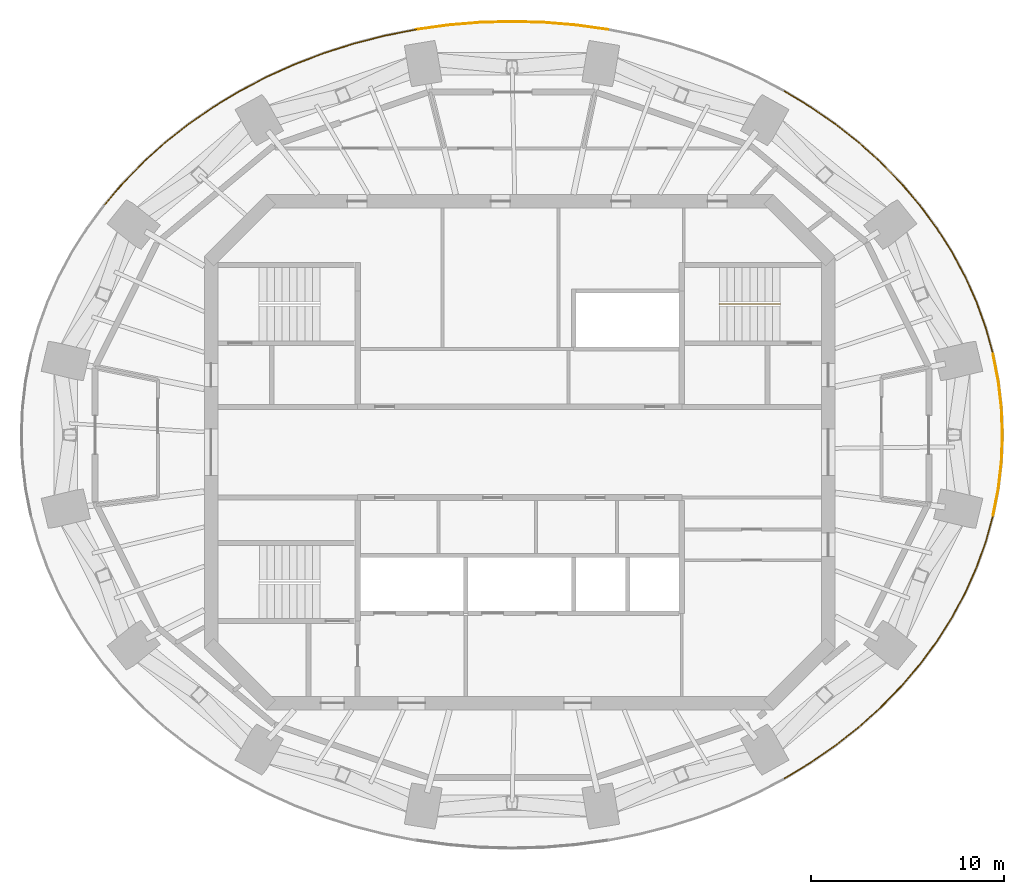
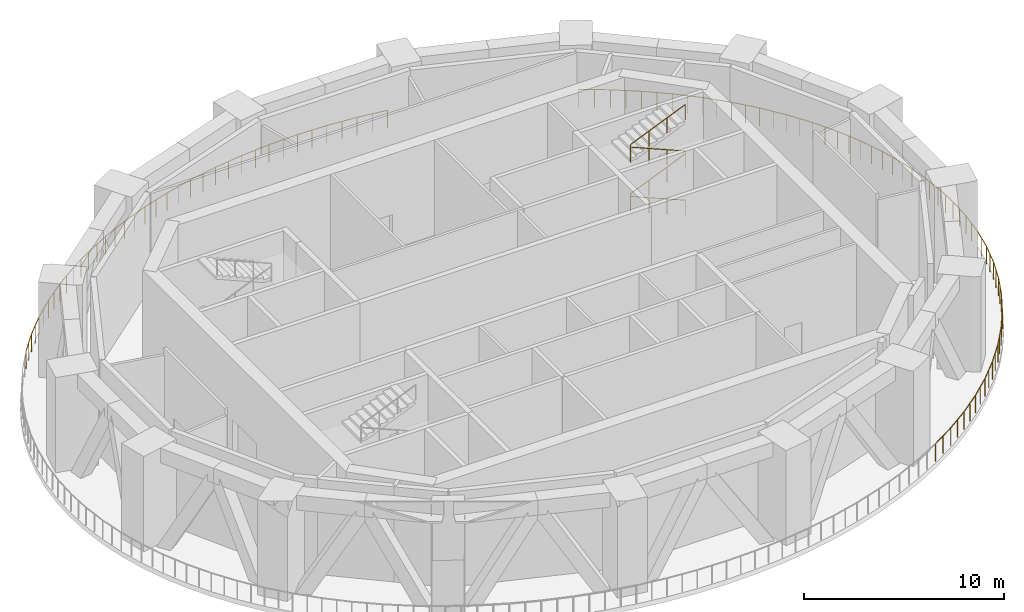
# One storey, part 8 of 9: 9 railings.
"""IFC4 building model written with IfcOpenShell, lengths in metres."""

from ifc_helpers import new_model, si_unit, direction, frame, origin, origin_2d, place, context, subcontext, project, spatial, circle, extrude, material, type_object, element, save


model = new_model("IFC4")

# Units and contexts
model_context = context("Model", 3, precision=1e-05, world=origin(), true_north=direction((0.0, 1.0)))
body_context = subcontext(model_context, "Body", "Model", "MODEL_VIEW")
ifc_project = project(units=[si_unit("LENGTHUNIT", "METRE"), si_unit("AREAUNIT", "SQUARE_METRE"), si_unit("VOLUMEUNIT", "CUBIC_METRE"), si_unit("PLANEANGLEUNIT", "RADIAN"), si_unit("MASSUNIT", "GRAM", prefix="KILO")], contexts=[model_context])

# Site, building, storey
site_placement = place(None, origin())
site = spatial("IfcSite", under=ifc_project, at=site_placement, CompositionType="ELEMENT")
building_placement = place(site_placement, origin())
building = spatial("IfcBuilding", under=site, at=building_placement, Name="Marenthal Gate Tower", CompositionType="ELEMENT")
storey_placement = place(building_placement, frame((0.0, 0.0, 407.550048828125)))
storey = spatial("IfcBuildingStorey", under=building, at=storey_placement, Name="L92", CompositionType="ELEMENT", Elevation=407.550048828125)

# Railings
ifc_material_1 = material(Name="Stainless steel", Category="steel")
railing_type_1 = type_object("IfcRailingType", Name="Balcony guard 1100", PredefinedType="GUARDRAIL", material=ifc_material_1)
railing_1_placement = place(storey_placement, frame((24.5322265625, 5.075927734375, 0.0)))
element("IfcRailing", 1, at=railing_1_placement, inside=storey, type_object=railing_type_1, Name="Refuge band guard L92 bay 1", PredefinedType="GUARDRAIL", context=body_context, shape_type="SweptSolid", body=[
    extrude(circle(Radius=0.02392578125, at=origin_2d()), frame((0.0, 0.0, 1.076171875), z_axis=(-0.266603096149, 0.963806406455, 0.0), x_axis=(-0.963806406455, -0.266603096149, 0.0)), (0.0, 0.0, 1.0), 1.415771484375),
    extrude(circle(Radius=0.02392578125, at=origin_2d()), frame((-0.37744140625, 1.364501953125, 1.076171875), z_axis=(-0.338452450155, 0.940983495596, 0.0), x_axis=(-0.940983495596, -0.338452450155, 0.0)), (0.0, 0.0, 1.0), 1.424560546875),
    extrude(circle(Radius=0.02392578125, at=origin_2d()), frame((-0.859619140625, 2.705078125, 1.076171875), z_axis=(-0.407620468194, 0.913151440841, 0.0), x_axis=(-0.913151440841, -0.407620468194, 0.0)), (0.0, 0.0, 1.0), 1.436279296875),
    extrude(circle(Radius=0.02392578125, at=origin_2d()), frame((-1.445068359375, 4.0166015625, 1.076171875), z_axis=(-0.473436577501, 0.880827910028, 0.0), x_axis=(-0.880827910028, -0.473436577501, 0.0)), (0.0, 0.0, 1.0), 1.448974609375),
    extrude(circle(Radius=0.02392578125, at=origin_2d()), frame((-2.131103515625, 5.29296875, 1.076171875), z_axis=(-0.535417219292, 0.84458771083, 0.0), x_axis=(-0.84458771083, -0.535417219292, 0.0)), (0.0, 0.0, 1.0), 1.463134765625),
    extrude(circle(Radius=0.02392578125, at=origin_2d()), frame((-2.91455078125, 6.52880859375, 1.076171875), z_axis=(-0.59353679981, 0.80480685091, 0.0), x_axis=(-0.80480685091, -0.59353679981, 0.0)), (0.0, 0.0, 1.0), 1.479248046875),
    extrude(circle(Radius=0.02099609375, at=origin_2d()), origin(), (0.0, 0.0, 1.0), 1.052001953125),
    extrude(circle(Radius=0.02099609375, at=origin_2d()), frame((-0.188720703125, 0.68212890625, 0.0)), (0.0, 0.0, 1.0), 1.052001953125),
    extrude(circle(Radius=0.02099609375, at=origin_2d()), frame((-0.37744140625, 1.364501953125, 0.0)), (0.0, 0.0, 1.0), 1.052001953125),
    extrude(circle(Radius=0.02099609375, at=origin_2d()), frame((-0.61865234375, 2.03466796875, 0.0)), (0.0, 0.0, 1.0), 1.052001953125),
    extrude(circle(Radius=0.02099609375, at=origin_2d()), frame((-0.859619140625, 2.705078125, 0.0)), (0.0, 0.0, 1.0), 1.052001953125),
    extrude(circle(Radius=0.02099609375, at=origin_2d()), frame((-1.15234375, 3.36083984375, 0.0)), (0.0, 0.0, 1.0), 1.052001953125),
    extrude(circle(Radius=0.02099609375, at=origin_2d()), frame((-1.445068359375, 4.0166015625, 0.0)), (0.0, 0.0, 1.0), 1.052001953125),
    extrude(circle(Radius=0.02099609375, at=origin_2d()), frame((-1.7880859375, 4.65478515625, 0.0)), (0.0, 0.0, 1.0), 1.052001953125),
    extrude(circle(Radius=0.02099609375, at=origin_2d()), frame((-2.131103515625, 5.29296875, 0.0)), (0.0, 0.0, 1.0), 1.052001953125),
    extrude(circle(Radius=0.02099609375, at=origin_2d()), frame((-2.52294921875, 5.910888671875, 0.0)), (0.0, 0.0, 1.0), 1.052001953125),
    extrude(circle(Radius=0.02099609375, at=origin_2d()), frame((-2.91455078125, 6.52880859375, 0.0)), (0.0, 0.0, 1.0), 1.052001953125),
    extrude(circle(Radius=0.02099609375, at=origin_2d()), frame((-3.353515625, 7.1240234375, 0.0)), (0.0, 0.0, 1.0), 1.052001953125),
    extrude(circle(Radius=0.02099609375, at=origin_2d()), frame((-3.79248046875, 7.71923828125, 0.0)), (0.0, 0.0, 1.0), 1.052001953125),
])
railing_2_placement = place(storey_placement, frame((20.73974609375, 12.795166015625, 0.0)))
element("IfcRailing", 2, at=railing_2_placement, inside=storey, type_object=railing_type_1, Name="Refuge band guard L92 bay 2", PredefinedType="GUARDRAIL", context=body_context, shape_type="SweptSolid", body=[
    extrude(circle(Radius=0.02392578125, at=origin_2d()), frame((0.0, 0.0, 1.076171875), z_axis=(-0.647653159131, 0.761935289554, 0.0), x_axis=(-0.761935289554, -0.647653159131, 0.0)), (0.0, 0.0, 1.0), 1.495361328125),
    extrude(circle(Radius=0.02392578125, at=origin_2d()), frame((-0.968505859375, 1.139404296875, 1.076171875), z_axis=(-0.697435646813, 0.716647415787, 0.0), x_axis=(-0.716647415787, -0.697435646813, 0.0)), (0.0, 0.0, 1.0), 1.51220703125),
    extrude(circle(Radius=0.02392578125, at=origin_2d()), frame((-2.023193359375, 2.22314453125, 1.076171875), z_axis=(-0.743238593694, 0.669026451528, 0.0), x_axis=(-0.669026451528, -0.743238593694, 0.0)), (0.0, 0.0, 1.0), 1.52978515625),
    extrude(circle(Radius=0.02392578125, at=origin_2d()), frame((-3.16015625, 3.24658203125, 1.076171875), z_axis=(-0.784826195145, 0.619715937679, 0.0), x_axis=(-0.619715937679, -0.784826195145, 0.0)), (0.0, 0.0, 1.0), 1.546630859375),
    extrude(circle(Radius=0.02392578125, at=origin_2d()), frame((-4.3740234375, 4.205078125, 1.076171875), z_axis=(-0.822366400491, 0.568958261513, 0.0), x_axis=(-0.568958261513, -0.822366400491, 0.0)), (0.0, 0.0, 1.0), 1.563720703125),
    extrude(circle(Radius=0.02392578125, at=origin_2d()), frame((-5.659912109375, 5.0947265625, 1.076171875), z_axis=(-0.855906991118, 0.517129792756, 0.0), x_axis=(-0.517129792756, -0.855906991118, 0.0)), (0.0, 0.0, 1.0), 1.57958984375),
    extrude(circle(Radius=0.02099609375, at=origin_2d()), origin(), (0.0, 0.0, 1.0), 1.052001953125),
    extrude(circle(Radius=0.02099609375, at=origin_2d()), frame((-0.484375, 0.56982421875, 0.0)), (0.0, 0.0, 1.0), 1.052001953125),
    extrude(circle(Radius=0.02099609375, at=origin_2d()), frame((-0.968505859375, 1.139404296875, 0.0)), (0.0, 0.0, 1.0), 1.052001953125),
    extrude(circle(Radius=0.02099609375, at=origin_2d()), frame((-1.495849609375, 1.68115234375, 0.0)), (0.0, 0.0, 1.0), 1.052001953125),
    extrude(circle(Radius=0.02099609375, at=origin_2d()), frame((-2.023193359375, 2.22314453125, 0.0)), (0.0, 0.0, 1.0), 1.052001953125),
    extrude(circle(Radius=0.02099609375, at=origin_2d()), frame((-2.591796875, 2.73486328125, 0.0)), (0.0, 0.0, 1.0), 1.052001953125),
    extrude(circle(Radius=0.02099609375, at=origin_2d()), frame((-3.16015625, 3.24658203125, 0.0)), (0.0, 0.0, 1.0), 1.052001953125),
    extrude(circle(Radius=0.02099609375, at=origin_2d()), frame((-3.76708984375, 3.725830078125, 0.0)), (0.0, 0.0, 1.0), 1.052001953125),
    extrude(circle(Radius=0.02099609375, at=origin_2d()), frame((-4.3740234375, 4.205078125, 0.0)), (0.0, 0.0, 1.0), 1.052001953125),
    extrude(circle(Radius=0.02099609375, at=origin_2d()), frame((-5.01708984375, 4.64990234375, 0.0)), (0.0, 0.0, 1.0), 1.052001953125),
    extrude(circle(Radius=0.02099609375, at=origin_2d()), frame((-5.659912109375, 5.0947265625, 0.0)), (0.0, 0.0, 1.0), 1.052001953125),
    extrude(circle(Radius=0.02099609375, at=origin_2d()), frame((-6.3359375, 5.503173828125, 0.0)), (0.0, 0.0, 1.0), 1.052001953125),
    extrude(circle(Radius=0.02099609375, at=origin_2d()), frame((-7.011962890625, 5.91162109375, 0.0)), (0.0, 0.0, 1.0), 1.052001953125),
])
railing_3_placement = place(storey_placement, frame((4.5615234375, 21.907958984375, 0.0)))
element("IfcRailing", 3, at=railing_3_placement, inside=storey, type_object=railing_type_1, Name="Refuge band guard L92 bay 4", PredefinedType="GUARDRAIL", context=body_context, shape_type="SweptSolid", body=[
    extrude(circle(Radius=0.02392578125, at=origin_2d()), frame((0.0, 0.0, 1.076171875), z_axis=(-0.990452652988, 0.137853335791, 0.0), x_axis=(-0.137853335791, -0.990452652988, 0.0)), (0.0, 0.0, 1.0), 1.65771484375),
    extrude(circle(Radius=0.02392578125, at=origin_2d()), frame((-1.641845703125, 0.228515625, 1.076171875), z_axis=(-0.996561948792, 0.082850963903, 0.0), x_axis=(-0.082850963903, -0.996561948792, 0.0)), (0.0, 0.0, 1.0), 1.661865234375),
    extrude(circle(Radius=0.02392578125, at=origin_2d()), frame((-3.298095703125, 0.3662109375, 1.076171875), z_axis=(-0.999619494453, 0.027583805219, 0.0), x_axis=(-0.027583805219, -0.999619494453, 0.0)), (0.0, 0.0, 1.0), 1.6640625),
    extrude(circle(Radius=0.02392578125, at=origin_2d()), frame((-4.96142578125, 0.412109375, 1.076171875), z_axis=(-0.999619606064, -0.027579760191, 0.0), x_axis=(0.027579760191, -0.999619606064, 0.0)), (0.0, 0.0, 1.0), 1.664306640625),
    extrude(circle(Radius=0.02392578125, at=origin_2d()), frame((-6.625, 0.3662109375, 1.076171875), z_axis=(-0.996560940215, -0.082863094542, 0.0), x_axis=(0.082863094542, -0.996560940215, 0.0)), (0.0, 0.0, 1.0), 1.66162109375),
    extrude(circle(Radius=0.02392578125, at=origin_2d()), frame((-8.281005859375, 0.228515625, 1.076171875), z_axis=(-0.990455451202, -0.137833229605, 0.0), x_axis=(0.137833229605, -0.990455451202, 0.0)), (0.0, 0.0, 1.0), 1.657958984375),
    extrude(circle(Radius=0.02099609375, at=origin_2d()), origin(), (0.0, 0.0, 1.0), 1.052001953125),
    extrude(circle(Radius=0.02099609375, at=origin_2d()), frame((-0.82080078125, 0.1142578125, 0.0)), (0.0, 0.0, 1.0), 1.052001953125),
    extrude(circle(Radius=0.02099609375, at=origin_2d()), frame((-1.641845703125, 0.228515625, 0.0)), (0.0, 0.0, 1.0), 1.052001953125),
    extrude(circle(Radius=0.02099609375, at=origin_2d()), frame((-2.469970703125, 0.29736328125, 0.0)), (0.0, 0.0, 1.0), 1.052001953125),
    extrude(circle(Radius=0.02099609375, at=origin_2d()), frame((-3.298095703125, 0.3662109375, 0.0)), (0.0, 0.0, 1.0), 1.052001953125),
    extrude(circle(Radius=0.02099609375, at=origin_2d()), frame((-4.1298828125, 0.38916015625, 0.0)), (0.0, 0.0, 1.0), 1.052001953125),
    extrude(circle(Radius=0.02099609375, at=origin_2d()), frame((-4.96142578125, 0.412109375, 0.0)), (0.0, 0.0, 1.0), 1.052001953125),
    extrude(circle(Radius=0.02099609375, at=origin_2d()), frame((-5.793212890625, 0.38916015625, 0.0)), (0.0, 0.0, 1.0), 1.052001953125),
    extrude(circle(Radius=0.02099609375, at=origin_2d()), frame((-6.625, 0.3662109375, 0.0)), (0.0, 0.0, 1.0), 1.052001953125),
    extrude(circle(Radius=0.02099609375, at=origin_2d()), frame((-7.453125, 0.29736328125, 0.0)), (0.0, 0.0, 1.0), 1.052001953125),
    extrude(circle(Radius=0.02099609375, at=origin_2d()), frame((-8.281005859375, 0.228515625, 0.0)), (0.0, 0.0, 1.0), 1.052001953125),
    extrude(circle(Radius=0.02099609375, at=origin_2d()), frame((-9.10205078125, 0.1142578125, 0.0)), (0.0, 0.0, 1.0), 1.052001953125),
    extrude(circle(Radius=0.02099609375, at=origin_2d()), frame((-9.923095703125, 0.0, 0.0)), (0.0, 0.0, 1.0), 1.052001953125),
])
railing_4_placement = place(storey_placement, frame((-5.361572265625, 21.907958984375, 0.0)))
element("IfcRailing", 4, at=railing_4_placement, inside=storey, type_object=railing_type_1, Name="Refuge band guard L92 bay 5", PredefinedType="GUARDRAIL", context=body_context, shape_type="SweptSolid", body=[
    extrude(circle(Radius=0.02392578125, at=origin_2d()), frame((0.0, 0.0, 1.076171875), z_axis=(-0.981217855434, -0.192902877575, 0.0), x_axis=(0.192902877575, -0.981217855434, 0.0)), (0.0, 0.0, 1.0), 1.651611328125),
    extrude(circle(Radius=0.02392578125, at=origin_2d()), frame((-1.62060546875, -0.318603515625, 1.076171875), z_axis=(-0.968826750365, -0.247739233422, 0.0), x_axis=(0.247739233422, -0.968826750365, 0.0)), (0.0, 0.0, 1.0), 1.643798828125),
    extrude(circle(Radius=0.02392578125, at=origin_2d()), frame((-3.213134765625, -0.725830078125, 1.076171875), z_axis=(-0.95317076895, -0.302432612691, 0.0), x_axis=(0.302432612691, -0.95317076895, 0.0)), (0.0, 0.0, 1.0), 1.6337890625),
    extrude(circle(Radius=0.02392578125, at=origin_2d()), frame((-4.7705078125, -1.219970703125, 1.076171875), z_axis=(-0.934134484632, -0.356921230275, 0.0), x_axis=(0.356921230275, -0.934134484632, 0.0)), (0.0, 0.0, 1.0), 1.62255859375),
    extrude(circle(Radius=0.02392578125, at=origin_2d()), frame((-6.2861328125, -1.799072265625, 1.076171875), z_axis=(-0.911665881279, -0.4109322583, 0.0), x_axis=(0.4109322583, -0.911665881279, 0.0)), (0.0, 0.0, 1.0), 1.609375),
    extrude(circle(Radius=0.02392578125, at=origin_2d()), frame((-7.75341796875, -2.46044921875, 1.076171875), z_axis=(-0.885660731432, -0.464332928834, 0.0), x_axis=(0.464332928834, -0.885660731432, 0.0)), (0.0, 0.0, 1.0), 1.59521484375),
    extrude(circle(Radius=0.02099609375, at=origin_2d()), origin(), (0.0, 0.0, 1.0), 1.052001953125),
    extrude(circle(Radius=0.02099609375, at=origin_2d()), frame((-0.810302734375, -0.1591796875, 0.0)), (0.0, 0.0, 1.0), 1.052001953125),
    extrude(circle(Radius=0.02099609375, at=origin_2d()), frame((-1.62060546875, -0.318603515625, 0.0)), (0.0, 0.0, 1.0), 1.052001953125),
    extrude(circle(Radius=0.02099609375, at=origin_2d()), frame((-2.4169921875, -0.522216796875, 0.0)), (0.0, 0.0, 1.0), 1.052001953125),
    extrude(circle(Radius=0.02099609375, at=origin_2d()), frame((-3.213134765625, -0.725830078125, 0.0)), (0.0, 0.0, 1.0), 1.052001953125),
    extrude(circle(Radius=0.02099609375, at=origin_2d()), frame((-3.99169921875, -0.972900390625, 0.0)), (0.0, 0.0, 1.0), 1.052001953125),
    extrude(circle(Radius=0.02099609375, at=origin_2d()), frame((-4.7705078125, -1.219970703125, 0.0)), (0.0, 0.0, 1.0), 1.052001953125),
    extrude(circle(Radius=0.02099609375, at=origin_2d()), frame((-5.5283203125, -1.509521484375, 0.0)), (0.0, 0.0, 1.0), 1.052001953125),
    extrude(circle(Radius=0.02099609375, at=origin_2d()), frame((-6.2861328125, -1.799072265625, 0.0)), (0.0, 0.0, 1.0), 1.052001953125),
    extrude(circle(Radius=0.02099609375, at=origin_2d()), frame((-7.019775390625, -2.1298828125, 0.0)), (0.0, 0.0, 1.0), 1.052001953125),
    extrude(circle(Radius=0.02099609375, at=origin_2d()), frame((-7.75341796875, -2.46044921875, 0.0)), (0.0, 0.0, 1.0), 1.052001953125),
    extrude(circle(Radius=0.02099609375, at=origin_2d()), frame((-8.4599609375, -2.830810546875, 0.0)), (0.0, 0.0, 1.0), 1.052001953125),
    extrude(circle(Radius=0.02099609375, at=origin_2d()), frame((-9.166259765625, -3.201171875, 0.0)), (0.0, 0.0, 1.0), 1.052001953125),
])
railing_5_placement = place(storey_placement, frame((-14.52783203125, 18.706787109375, 0.0)))
element("IfcRailing", 5, at=railing_5_placement, inside=storey, type_object=railing_type_1, Name="Refuge band guard L92 bay 6", PredefinedType="GUARDRAIL", context=body_context, shape_type="SweptSolid", body=[
    extrude(circle(Radius=0.02392578125, at=origin_2d()), frame((0.0, 0.0, 1.076171875), z_axis=(-0.855906991118, -0.517129792756, 0.0), x_axis=(0.517129792756, -0.855906991118, 0.0)), (0.0, 0.0, 1.0), 1.57958984375),
    extrude(circle(Radius=0.02392578125, at=origin_2d()), frame((-1.35205078125, -0.81689453125, 1.076171875), z_axis=(-0.822366400491, -0.568958261513, 0.0), x_axis=(0.568958261513, -0.822366400491, 0.0)), (0.0, 0.0, 1.0), 1.563720703125),
    extrude(circle(Radius=0.02392578125, at=origin_2d()), frame((-2.637939453125, -1.70654296875, 1.076171875), z_axis=(-0.784826195145, -0.619715937679, 0.0), x_axis=(0.619715937679, -0.784826195145, 0.0)), (0.0, 0.0, 1.0), 1.546630859375),
    extrude(circle(Radius=0.02392578125, at=origin_2d()), frame((-3.851806640625, -2.6650390625, 1.076171875), z_axis=(-0.743167146386, -0.669105815647, 0.0), x_axis=(0.669105815647, -0.743167146386, 0.0)), (0.0, 0.0, 1.0), 1.529541015625),
    extrude(circle(Radius=0.02392578125, at=origin_2d()), frame((-4.988525390625, -3.6884765625, 1.076171875), z_axis=(-0.697518547499, -0.716566728153, 0.0), x_axis=(0.716566728153, -0.697518547499, 0.0)), (0.0, 0.0, 1.0), 1.512451171875),
    extrude(circle(Radius=0.02392578125, at=origin_2d()), frame((-6.04345703125, -4.772216796875, 1.076171875), z_axis=(-0.647653159131, -0.761935289554, 0.0), x_axis=(0.761935289554, -0.647653159131, 0.0)), (0.0, 0.0, 1.0), 1.495361328125),
    extrude(circle(Radius=0.02099609375, at=origin_2d()), origin(), (0.0, 0.0, 1.0), 1.052001953125),
    extrude(circle(Radius=0.02099609375, at=origin_2d()), frame((-0.676025390625, -0.408447265625, 0.0)), (0.0, 0.0, 1.0), 1.052001953125),
    extrude(circle(Radius=0.02099609375, at=origin_2d()), frame((-1.35205078125, -0.81689453125, 0.0)), (0.0, 0.0, 1.0), 1.052001953125),
    extrude(circle(Radius=0.02099609375, at=origin_2d()), frame((-1.9951171875, -1.26171875, 0.0)), (0.0, 0.0, 1.0), 1.052001953125),
    extrude(circle(Radius=0.02099609375, at=origin_2d()), frame((-2.637939453125, -1.70654296875, 0.0)), (0.0, 0.0, 1.0), 1.052001953125),
    extrude(circle(Radius=0.02099609375, at=origin_2d()), frame((-3.244873046875, -2.185791015625, 0.0)), (0.0, 0.0, 1.0), 1.052001953125),
    extrude(circle(Radius=0.02099609375, at=origin_2d()), frame((-3.851806640625, -2.6650390625, 0.0)), (0.0, 0.0, 1.0), 1.052001953125),
    extrude(circle(Radius=0.02099609375, at=origin_2d()), frame((-4.420166015625, -3.1767578125, 0.0)), (0.0, 0.0, 1.0), 1.052001953125),
    extrude(circle(Radius=0.02099609375, at=origin_2d()), frame((-4.988525390625, -3.6884765625, 0.0)), (0.0, 0.0, 1.0), 1.052001953125),
    extrude(circle(Radius=0.02099609375, at=origin_2d()), frame((-5.51611328125, -4.23046875, 0.0)), (0.0, 0.0, 1.0), 1.052001953125),
    extrude(circle(Radius=0.02099609375, at=origin_2d()), frame((-6.04345703125, -4.772216796875, 0.0)), (0.0, 0.0, 1.0), 1.052001953125),
    extrude(circle(Radius=0.02099609375, at=origin_2d()), frame((-6.52783203125, -5.341796875, 0.0)), (0.0, 0.0, 1.0), 1.052001953125),
    extrude(circle(Radius=0.02099609375, at=origin_2d()), frame((-7.011962890625, -5.91162109375, 0.0)), (0.0, 0.0, 1.0), 1.052001953125),
])
railing_6_placement = place(storey_placement, frame((13.727783203125, -16.906982421875, 0.0)))
element("IfcRailing", 6, at=railing_6_placement, inside=storey, type_object=railing_type_1, Name="Refuge band guard L92 bay 14", PredefinedType="GUARDRAIL", context=body_context, shape_type="SweptSolid", body=[
    extrude(circle(Radius=0.02392578125, at=origin_2d()), frame((0.0, 0.0, 1.076171875), z_axis=(0.855838582222, 0.517243000126, 0.0), x_axis=(-0.517243000126, 0.855838582222, 0.0)), (0.0, 0.0, 1.0), 1.579833984375),
    extrude(circle(Radius=0.02392578125, at=origin_2d()), frame((1.35205078125, 0.817138671875, 1.076171875), z_axis=(0.822366400491, 0.568958261513, 0.0), x_axis=(-0.568958261513, 0.822366400491, 0.0)), (0.0, 0.0, 1.0), 1.563720703125),
    extrude(circle(Radius=0.02392578125, at=origin_2d()), frame((2.637939453125, 1.706787109375, 1.076171875), z_axis=(0.784826195145, 0.619715937679, 0.0), x_axis=(-0.619715937679, 0.784826195145, 0.0)), (0.0, 0.0, 1.0), 1.546630859375),
    extrude(circle(Radius=0.02392578125, at=origin_2d()), frame((3.851806640625, 2.665283203125, 1.076171875), z_axis=(0.743238593694, 0.669026451528, 0.0), x_axis=(-0.669026451528, 0.743238593694, 0.0)), (0.0, 0.0, 1.0), 1.52978515625),
    extrude(circle(Radius=0.02392578125, at=origin_2d()), frame((4.98876953125, 3.688720703125, 1.076171875), z_axis=(0.697435646813, 0.716647415787, 0.0), x_axis=(-0.716647415787, 0.697435646813, 0.0)), (0.0, 0.0, 1.0), 1.51220703125),
    extrude(circle(Radius=0.02392578125, at=origin_2d()), frame((6.04345703125, 4.7724609375, 1.076171875), z_axis=(0.647653159131, 0.761935289554, 0.0), x_axis=(-0.761935289554, 0.647653159131, 0.0)), (0.0, 0.0, 1.0), 1.495361328125),
    extrude(circle(Radius=0.02099609375, at=origin_2d()), origin(), (0.0, 0.0, 1.0), 1.052001953125),
    extrude(circle(Radius=0.02099609375, at=origin_2d()), frame((0.676025390625, 0.40869140625, 0.0)), (0.0, 0.0, 1.0), 1.052001953125),
    extrude(circle(Radius=0.02099609375, at=origin_2d()), frame((1.35205078125, 0.817138671875, 0.0)), (0.0, 0.0, 1.0), 1.052001953125),
    extrude(circle(Radius=0.02099609375, at=origin_2d()), frame((1.9951171875, 1.261962890625, 0.0)), (0.0, 0.0, 1.0), 1.052001953125),
    extrude(circle(Radius=0.02099609375, at=origin_2d()), frame((2.637939453125, 1.706787109375, 0.0)), (0.0, 0.0, 1.0), 1.052001953125),
    extrude(circle(Radius=0.02099609375, at=origin_2d()), frame((3.244873046875, 2.18603515625, 0.0)), (0.0, 0.0, 1.0), 1.052001953125),
    extrude(circle(Radius=0.02099609375, at=origin_2d()), frame((3.851806640625, 2.665283203125, 0.0)), (0.0, 0.0, 1.0), 1.052001953125),
    extrude(circle(Radius=0.02099609375, at=origin_2d()), frame((4.42041015625, 3.177001953125, 0.0)), (0.0, 0.0, 1.0), 1.052001953125),
    extrude(circle(Radius=0.02099609375, at=origin_2d()), frame((4.98876953125, 3.688720703125, 0.0)), (0.0, 0.0, 1.0), 1.052001953125),
    extrude(circle(Radius=0.02099609375, at=origin_2d()), frame((5.51611328125, 4.23046875, 0.0)), (0.0, 0.0, 1.0), 1.052001953125),
    extrude(circle(Radius=0.02099609375, at=origin_2d()), frame((6.04345703125, 4.7724609375, 0.0)), (0.0, 0.0, 1.0), 1.052001953125),
    extrude(circle(Radius=0.02099609375, at=origin_2d()), frame((6.52783203125, 5.34228515625, 0.0)), (0.0, 0.0, 1.0), 1.052001953125),
    extrude(circle(Radius=0.02099609375, at=origin_2d()), frame((7.011962890625, 5.911865234375, 0.0)), (0.0, 0.0, 1.0), 1.052001953125),
])
railing_7_placement = place(storey_placement, frame((20.73974609375, -10.9951171875, 0.0)))
element("IfcRailing", 7, at=railing_7_placement, inside=storey, type_object=railing_type_1, Name="Refuge band guard L92 bay 15", PredefinedType="GUARDRAIL", context=body_context, shape_type="SweptSolid", body=[
    extrude(circle(Radius=0.02392578125, at=origin_2d()), frame((0.0, 0.0, 1.076171875), z_axis=(0.59353679981, 0.80480685091, 0.0), x_axis=(-0.80480685091, 0.59353679981, 0.0)), (0.0, 0.0, 1.0), 1.479248046875),
    extrude(circle(Radius=0.02392578125, at=origin_2d()), frame((0.8779296875, 1.1904296875, 1.076171875), z_axis=(0.535417219292, 0.84458771083, 0.0), x_axis=(-0.84458771083, 0.535417219292, 0.0)), (0.0, 0.0, 1.0), 1.463134765625),
    extrude(circle(Radius=0.02392578125, at=origin_2d()), frame((1.661376953125, 2.42626953125, 1.076171875), z_axis=(0.473436577501, 0.880827910028, 0.0), x_axis=(-0.880827910028, 0.473436577501, 0.0)), (0.0, 0.0, 1.0), 1.448974609375),
    extrude(circle(Radius=0.02392578125, at=origin_2d()), frame((2.347412109375, 3.70263671875, 1.076171875), z_axis=(0.407620468194, 0.913151440841, 0.0), x_axis=(-0.913151440841, 0.407620468194, 0.0)), (0.0, 0.0, 1.0), 1.436279296875),
    extrude(circle(Radius=0.02392578125, at=origin_2d()), frame((2.932861328125, 5.01416015625, 1.076171875), z_axis=(0.338452450155, 0.940983495596, 0.0), x_axis=(-0.940983495596, 0.338452450155, 0.0)), (0.0, 0.0, 1.0), 1.424560546875),
    extrude(circle(Radius=0.02392578125, at=origin_2d()), frame((3.4150390625, 6.354736328125, 1.076171875), z_axis=(0.266647414146, 0.963794146345, 0.0), x_axis=(-0.963794146345, 0.266647414146, 0.0)), (0.0, 0.0, 1.0), 1.41552734375),
    extrude(circle(Radius=0.02099609375, at=origin_2d()), origin(), (0.0, 0.0, 1.0), 1.052001953125),
    extrude(circle(Radius=0.02099609375, at=origin_2d()), frame((0.43896484375, 0.59521484375, 0.0)), (0.0, 0.0, 1.0), 1.052001953125),
    extrude(circle(Radius=0.02099609375, at=origin_2d()), frame((0.8779296875, 1.1904296875, 0.0)), (0.0, 0.0, 1.0), 1.052001953125),
    extrude(circle(Radius=0.02099609375, at=origin_2d()), frame((1.26953125, 1.808349609375, 0.0)), (0.0, 0.0, 1.0), 1.052001953125),
    extrude(circle(Radius=0.02099609375, at=origin_2d()), frame((1.661376953125, 2.42626953125, 0.0)), (0.0, 0.0, 1.0), 1.052001953125),
    extrude(circle(Radius=0.02099609375, at=origin_2d()), frame((2.00439453125, 3.064453125, 0.0)), (0.0, 0.0, 1.0), 1.052001953125),
    extrude(circle(Radius=0.02099609375, at=origin_2d()), frame((2.347412109375, 3.70263671875, 0.0)), (0.0, 0.0, 1.0), 1.052001953125),
    extrude(circle(Radius=0.02099609375, at=origin_2d()), frame((2.64013671875, 4.3583984375, 0.0)), (0.0, 0.0, 1.0), 1.052001953125),
    extrude(circle(Radius=0.02099609375, at=origin_2d()), frame((2.932861328125, 5.01416015625, 0.0)), (0.0, 0.0, 1.0), 1.052001953125),
    extrude(circle(Radius=0.02099609375, at=origin_2d()), frame((3.173828125, 5.6845703125, 0.0)), (0.0, 0.0, 1.0), 1.052001953125),
    extrude(circle(Radius=0.02099609375, at=origin_2d()), frame((3.4150390625, 6.354736328125, 0.0)), (0.0, 0.0, 1.0), 1.052001953125),
    extrude(circle(Radius=0.02099609375, at=origin_2d()), frame((3.603759765625, 7.036865234375, 0.0)), (0.0, 0.0, 1.0), 1.052001953125),
    extrude(circle(Radius=0.02099609375, at=origin_2d()), frame((3.79248046875, 7.718994140625, 0.0)), (0.0, 0.0, 1.0), 1.052001953125),
])
railing_8_placement = place(storey_placement, frame((24.5322265625, -3.276123046875, 0.0)))
element("IfcRailing", 8, at=railing_8_placement, inside=storey, type_object=railing_type_1, Name="Refuge band guard L92 bay 16", PredefinedType="GUARDRAIL", context=body_context, shape_type="SweptSolid", body=[
    extrude(circle(Radius=0.02392578125, at=origin_2d()), frame((0.0, 0.0, 1.076171875), z_axis=(0.192080570326, 0.981379159399, 0.0), x_axis=(-0.981379159399, 0.192080570326, 0.0)), (0.0, 0.0, 1.0), 1.408203125),
    extrude(circle(Radius=0.02392578125, at=origin_2d()), frame((0.2705078125, 1.382080078125, 1.076171875), z_axis=(0.116023708983, 0.993246444219, 0.0), x_axis=(-0.993246444219, 0.116023708983, 0.0)), (0.0, 0.0, 1.0), 1.403564453125),
    extrude(circle(Radius=0.02392578125, at=origin_2d()), frame((0.433349609375, 2.776123046875, 1.076171875), z_axis=(0.038861448852, 0.999244608588, 0.0), x_axis=(-0.999244608588, 0.038861448852, 0.0)), (0.0, 0.0, 1.0), 1.40087890625),
    extrude(circle(Radius=0.02392578125, at=origin_2d()), frame((0.48779296875, 4.176025390625, 1.076171875), z_axis=(-0.038854682893, 0.999244871699, 0.0), x_axis=(-0.999244871699, -0.038854682893, 0.0)), (0.0, 0.0, 1.0), 1.401123046875),
    extrude(circle(Radius=0.02392578125, at=origin_2d()), frame((0.433349609375, 5.576171875, 1.076171875), z_axis=(-0.116043758283, 0.993244102003, 0.0), x_axis=(-0.993244102003, -0.116043758283, 0.0)), (0.0, 0.0, 1.0), 1.4033203125),
    extrude(circle(Radius=0.02392578125, at=origin_2d()), frame((0.2705078125, 6.969970703125, 1.076171875), z_axis=(-0.192080570326, 0.981379159399, 0.0), x_axis=(-0.981379159399, -0.192080570326, 0.0)), (0.0, 0.0, 1.0), 1.408203125),
    extrude(circle(Radius=0.02099609375, at=origin_2d()), origin(), (0.0, 0.0, 1.0), 1.052001953125),
    extrude(circle(Radius=0.02099609375, at=origin_2d()), frame((0.13525390625, 0.69091796875, 0.0)), (0.0, 0.0, 1.0), 1.052001953125),
    extrude(circle(Radius=0.02099609375, at=origin_2d()), frame((0.2705078125, 1.382080078125, 0.0)), (0.0, 0.0, 1.0), 1.052001953125),
    extrude(circle(Radius=0.02099609375, at=origin_2d()), frame((0.35205078125, 2.0791015625, 0.0)), (0.0, 0.0, 1.0), 1.052001953125),
    extrude(circle(Radius=0.02099609375, at=origin_2d()), frame((0.433349609375, 2.776123046875, 0.0)), (0.0, 0.0, 1.0), 1.052001953125),
    extrude(circle(Radius=0.02099609375, at=origin_2d()), frame((0.46044921875, 3.47607421875, 0.0)), (0.0, 0.0, 1.0), 1.052001953125),
    extrude(circle(Radius=0.02099609375, at=origin_2d()), frame((0.48779296875, 4.176025390625, 0.0)), (0.0, 0.0, 1.0), 1.052001953125),
    extrude(circle(Radius=0.02099609375, at=origin_2d()), frame((0.46044921875, 4.8759765625, 0.0)), (0.0, 0.0, 1.0), 1.052001953125),
    extrude(circle(Radius=0.02099609375, at=origin_2d()), frame((0.433349609375, 5.576171875, 0.0)), (0.0, 0.0, 1.0), 1.052001953125),
    extrude(circle(Radius=0.02099609375, at=origin_2d()), frame((0.35205078125, 6.27294921875, 0.0)), (0.0, 0.0, 1.0), 1.052001953125),
    extrude(circle(Radius=0.02099609375, at=origin_2d()), frame((0.2705078125, 6.969970703125, 0.0)), (0.0, 0.0, 1.0), 1.052001953125),
    extrude(circle(Radius=0.02099609375, at=origin_2d()), frame((0.13525390625, 7.6611328125, 0.0)), (0.0, 0.0, 1.0), 1.052001953125),
    extrude(circle(Radius=0.02099609375, at=origin_2d()), frame((0.0, 8.35205078125, 0.0)), (0.0, 0.0, 1.0), 1.052001953125),
])
ifc_material_2 = material(Name="Stainless steel", Category="steel")
railing_type_2 = type_object("IfcRailingType", Name="Stair handrail", PredefinedType="HANDRAIL", material=ifc_material_2)
railing_9_placement = place(storey_placement, frame((13.5, 7.675048828125, 0.166748046875)))
element("IfcRailing", 9, at=railing_9_placement, inside=storey, type_object=railing_type_2, Name="Handrail ST3", PredefinedType="HANDRAIL", context=body_context, shape_type="SweptSolid", body=[
    extrude(circle(Radius=0.0224609375, at=origin_2d()), frame((0.0, 0.0, 0.927490234375), z_axis=(-0.920893345203, 0.0, 0.389814631281), x_axis=(0.0, -1.0, 0.0)), (0.0, 0.0, 1.0), 3.420166015625),
    extrude(circle(Radius=0.0224609375, at=origin_2d()), frame((-3.149658203125, 0.0, 2.2607421875), z_axis=(0.0, 0.0, 1.0), x_axis=(1.0, 0.0, 0.0)), (0.0, 0.0, 1.0), 0.166748046875),
    extrude(circle(Radius=0.0224609375, at=origin_2d()), frame((-3.149658203125, 0.0, 2.427490234375), z_axis=(0.920893345203, 0.0, 0.389814631281), x_axis=(0.0, 1.0, 0.0)), (0.0, 0.0, 1.0), 3.420166015625),
    extrude(circle(Radius=0.0224609375, at=origin_2d()), frame((0.0, 0.0, 3.7607421875), z_axis=(0.0, 0.0, 1.0), x_axis=(1.0, 0.0, 0.0)), (0.0, 0.0, 1.0), 0.166748046875),
    extrude(circle(Radius=0.0224609375, at=origin_2d()), frame((0.0, 0.0, 3.927490234375), z_axis=(-0.920893345203, 0.0, 0.389814631281), x_axis=(0.0, -1.0, 0.0)), (0.0, 0.0, 1.0), 3.420166015625),
    extrude(circle(Radius=0.0224609375, at=origin_2d()), frame((-3.149658203125, 0.0, 5.2607421875), z_axis=(0.0, 0.0, 1.0), x_axis=(1.0, 0.0, 0.0)), (0.0, 0.0, 1.0), 0.166748046875),
    extrude(circle(Radius=0.0224609375, at=origin_2d()), frame((-3.149658203125, 0.0, 5.427490234375), z_axis=(0.920893345203, 0.0, 0.389814631281), x_axis=(0.0, 1.0, 0.0)), (0.0, 0.0, 1.0), 3.420166015625),
    extrude(circle(Radius=0.02001953125, at=origin_2d()), origin(), (0.0, 0.0, 1.0), 0.905029296875),
    extrude(circle(Radius=0.02001953125, at=origin_2d()), frame((-1.0498046875, 0.0, 0.4443359375)), (0.0, 0.0, 1.0), 0.905029296875),
    extrude(circle(Radius=0.02001953125, at=origin_2d()), frame((-2.099853515625, 0.0, 0.888916015625)), (0.0, 0.0, 1.0), 0.905029296875),
    extrude(circle(Radius=0.02001953125, at=origin_2d()), frame((-3.149658203125, 0.0, 1.333251953125)), (0.0, 0.0, 1.0), 0.905029296875),
    extrude(circle(Radius=0.02001953125, at=origin_2d()), frame((-3.149658203125, 0.0, 1.5)), (0.0, 0.0, 1.0), 0.905029296875),
    extrude(circle(Radius=0.02001953125, at=origin_2d()), frame((-2.099853515625, 0.0, 1.9443359375)), (0.0, 0.0, 1.0), 0.905029296875),
    extrude(circle(Radius=0.02001953125, at=origin_2d()), frame((-1.0498046875, 0.0, 2.388916015625)), (0.0, 0.0, 1.0), 0.905029296875),
    extrude(circle(Radius=0.02001953125, at=origin_2d()), frame((0.0, 0.0, 2.833251953125)), (0.0, 0.0, 1.0), 0.905029296875),
    extrude(circle(Radius=0.02001953125, at=origin_2d()), frame((0.0, 0.0, 3.0)), (0.0, 0.0, 1.0), 0.905029296875),
    extrude(circle(Radius=0.02001953125, at=origin_2d()), frame((-1.0498046875, 0.0, 3.4443359375)), (0.0, 0.0, 1.0), 0.905029296875),
    extrude(circle(Radius=0.02001953125, at=origin_2d()), frame((-2.099853515625, 0.0, 3.888916015625)), (0.0, 0.0, 1.0), 0.905029296875),
    extrude(circle(Radius=0.02001953125, at=origin_2d()), frame((-3.149658203125, 0.0, 4.333251953125)), (0.0, 0.0, 1.0), 0.905029296875),
    extrude(circle(Radius=0.02001953125, at=origin_2d()), frame((-3.149658203125, 0.0, 4.5)), (0.0, 0.0, 1.0), 0.905029296875),
    extrude(circle(Radius=0.02001953125, at=origin_2d()), frame((-2.099853515625, 0.0, 4.9443359375)), (0.0, 0.0, 1.0), 0.905029296875),
    extrude(circle(Radius=0.02001953125, at=origin_2d()), frame((-1.0498046875, 0.0, 5.388916015625)), (0.0, 0.0, 1.0), 0.905029296875),
    extrude(circle(Radius=0.02001953125, at=origin_2d()), frame((0.0, 0.0, 5.833251953125)), (0.0, 0.0, 1.0), 0.905029296875),
])

save(model, "model.ifc")
